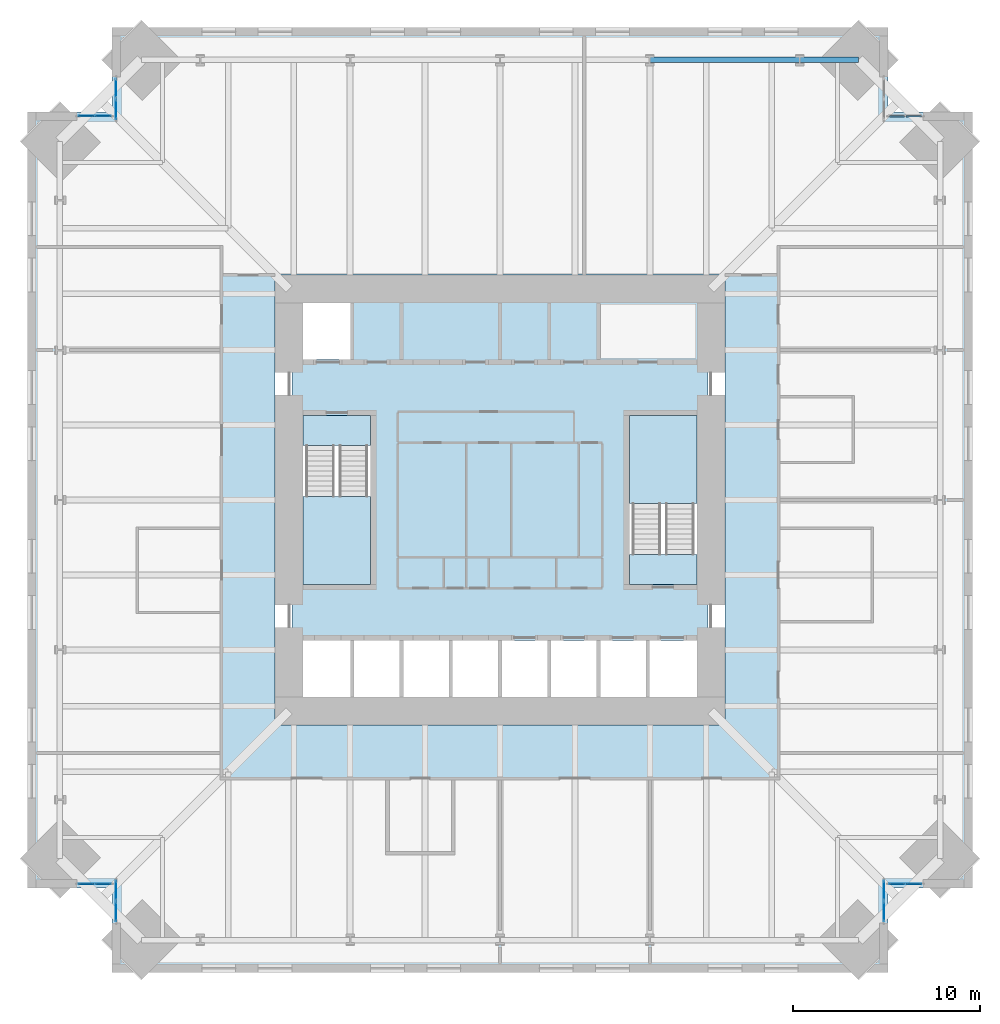
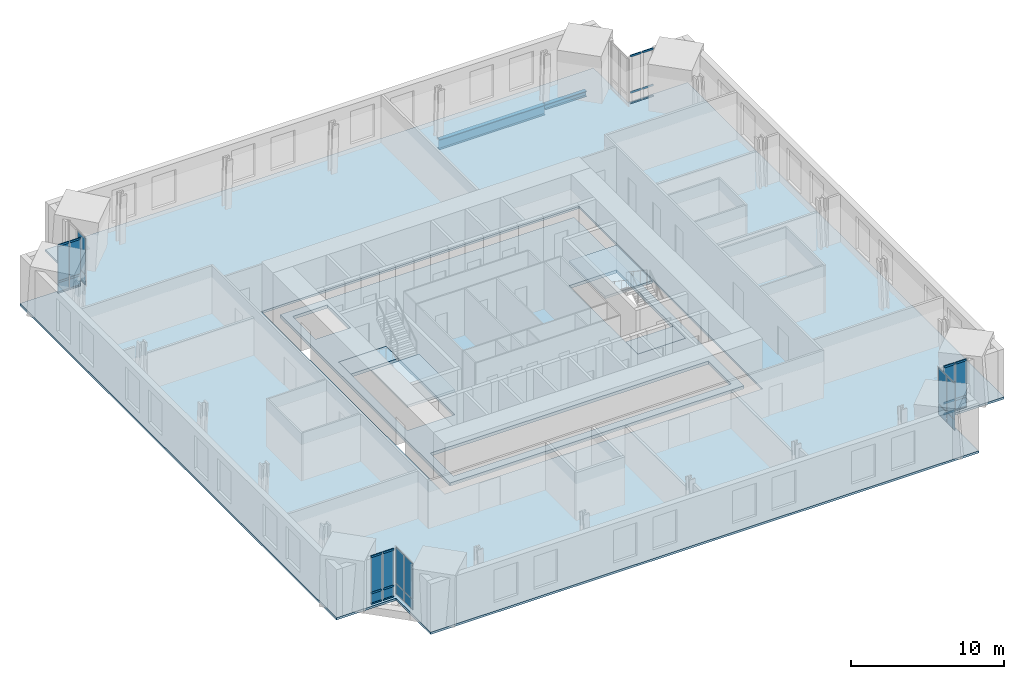
# One storey, part 9 of 15: 24 members, 23 plates, 6 slabs, 2 beams, 9 elements without a shape of their own.
"""IFC4 building model written with IfcOpenShell, lengths in metres."""

from ifc_helpers import new_model, si_unit, direction, frame, origin, origin_2d, place, context, subcontext, project, spatial, polyline, rectangle, hollow_rectangle, i_section, outline, extrude, material, layer, layer_set, material_profile, profile_set, type_object, element, aggregate, save


model = new_model("IFC4")

# Units and contexts
model_context = context("Model", 3, precision=1e-05, world=origin(), true_north=direction((0.0, 1.0)))
body_context = subcontext(model_context, "Body", "Model", "MODEL_VIEW")
ifc_project = project(units=[si_unit("LENGTHUNIT", "METRE"), si_unit("AREAUNIT", "SQUARE_METRE"), si_unit("VOLUMEUNIT", "CUBIC_METRE"), si_unit("PLANEANGLEUNIT", "RADIAN"), si_unit("MASSUNIT", "GRAM", prefix="KILO")], contexts=[model_context])

# Site, building, storey
site_placement = place(None, origin())
site = spatial("IfcSite", under=ifc_project, at=site_placement, CompositionType="ELEMENT")
building_placement = place(site_placement, origin())
building = spatial("IfcBuilding", under=site, at=building_placement, Name="Peilmerk Tower", CompositionType="ELEMENT")
storey_placement = place(building_placement, frame((0.0, 0.0, 183.800048828125)))
storey = spatial("IfcBuildingStorey", under=building, at=storey_placement, Name="L39", CompositionType="ELEMENT", Elevation=183.800048828125)

# Beams
ifc_material_1 = material(Name="Steel S355", Category="steel")
ifc_material_profile_1 = material_profile(ifc_material_1, i_section(OverallWidth=0.302978515625, OverallDepth=0.81396484375, WebThickness=0.02099609375, FlangeThickness=0.0400390625, at=origin_2d()), Name="HEM 800")
ifc_profile_set_1 = profile_set([ifc_material_profile_1], Name="Steel S355")
beam_type_1 = type_object("IfcBeamType", Name="B15 HEM 800 edge beam", PredefinedType="SPANDREL", material=ifc_profile_set_1)
beam_1_placement = place(storey_placement, frame((16.0, 23.485595703125, -0.5771484375), z_axis=(-1.0, 0.0, 0.0), x_axis=(0.0, -1.0, 0.0)))
element("IfcBeam", 1, at=beam_1_placement, inside=storey, type_object=beam_type_1, Name="Edge beam L39", PredefinedType="SPANDREL", context=body_context, shape_type="SweptSolid", body=[
    extrude(i_section(OverallWidth=0.302978515625, OverallDepth=0.81396484375, WebThickness=0.02099609375, FlangeThickness=0.0400390625, at=origin_2d()), origin(), (0.0, 0.0, 1.0), 8.0),
])
ifc_material_profile_2 = material_profile(ifc_material_1, i_section(OverallWidth=0.306884765625, OverallDepth=0.431884765625, WebThickness=0.02099609375, FlangeThickness=0.0400390625, at=origin_2d()), Name="HEM 400")
ifc_profile_set_2 = profile_set([ifc_material_profile_2], Name="Steel S355")
beam_type_2 = type_object("IfcBeamType", Name="B34 HEM 400 edge beam", PredefinedType="SPANDREL", material=ifc_profile_set_2)
beam_2_placement = place(storey_placement, frame((19.135498046875, 23.485595703125, -0.385986328125), z_axis=(-1.0, 0.0, 0.0), x_axis=(0.0, -1.0, 0.0)))
element("IfcBeam", 2, at=beam_2_placement, inside=storey, type_object=beam_type_2, Name="Edge beam L39", PredefinedType="SPANDREL", context=body_context, shape_type="SweptSolid", body=[
    extrude(i_section(OverallWidth=0.306884765625, OverallDepth=0.431884765625, WebThickness=0.02099609375, FlangeThickness=0.0400390625, at=origin_2d()), origin(), (0.0, 0.0, 1.0), 3.135498046875),
])

# Curtain wall, members
ifc_material_2 = material(Name="Aluminium stick curtain wall", Category="aluminium")
curtain_wall_type = type_object("IfcCurtainWallType", Name="CW3 stick curtain wall, 2250 module", PredefinedType="NOTDEFINED", material=ifc_material_2)
curtain_wall_1_placement = place(storey_placement, origin())
curtain_wall_1 = element("IfcCurtainWall", 3, at=curtain_wall_1_placement, inside=storey, type_object=curtain_wall_type, Name="Curtain wall CW3 NEB L39", PredefinedType="NOTDEFINED")
ifc_material_3 = material(Name="Aluminium EN AW-6063 T6", Category="aluminium")
ifc_material_profile_3 = material_profile(ifc_material_3, hollow_rectangle(XDim=0.06494140625, YDim=0.14990234375, WallThickness=0.0029296875, at=origin_2d()), Name="AL 150x65x3")
ifc_profile_set_3 = profile_set([ifc_material_profile_3], Name="Aluminium EN AW-6063 T6")
member_type = type_object("IfcMemberType", Name="CW3-T AL 150x65x3 transom", PredefinedType="USERDEFINED", material=ifc_profile_set_3)
member_1_placement = place(storey_placement, frame((20.764892578125, 20.47509765625, 0.032470703125), z_axis=(1.0, 0.0, 0.0), x_axis=(0.0, 1.0, 0.0)))
member_1 = element("IfcMember", 4, at=member_1_placement, type_object=member_type, Name="CW3 transom 1.1", ObjectType="TRANSOM", PredefinedType="USERDEFINED", context=body_context, shape_type="SweptSolid", body=[
    extrude(hollow_rectangle(XDim=0.06494140625, YDim=0.14990234375, WallThickness=0.0029296875, at=origin_2d()), origin(), (0.0, 0.0, 1.0), 0.822021484375),
])
member_2_placement = place(storey_placement, frame((20.764892578125, 20.47509765625, 0.89990234375), z_axis=(1.0, 0.0, 0.0), x_axis=(0.0, 1.0, 0.0)))
member_2 = element("IfcMember", 5, at=member_2_placement, type_object=member_type, Name="CW3 transom 1.2", ObjectType="TRANSOM", PredefinedType="USERDEFINED", context=body_context, shape_type="SweptSolid", body=[
    extrude(hollow_rectangle(XDim=0.06494140625, YDim=0.14990234375, WallThickness=0.0029296875, at=origin_2d()), origin(), (0.0, 0.0, 1.0), 0.822021484375),
])
member_3_placement = place(storey_placement, frame((20.764892578125, 20.47509765625, 3.79736328125), z_axis=(1.0, 0.0, 0.0), x_axis=(0.0, 1.0, 0.0)))
member_3 = element("IfcMember", 6, at=member_3_placement, type_object=member_type, Name="CW3 transom 1.3", ObjectType="TRANSOM", PredefinedType="USERDEFINED", context=body_context, shape_type="SweptSolid", body=[
    extrude(hollow_rectangle(XDim=0.06494140625, YDim=0.14990234375, WallThickness=0.0029296875, at=origin_2d()), origin(), (0.0, 0.0, 1.0), 0.822021484375),
])
member_4_placement = place(storey_placement, frame((21.65185546875, 20.47509765625, 0.032470703125), z_axis=(1.0, 0.0, 0.0), x_axis=(0.0, 1.0, 0.0)))
member_4 = element("IfcMember", 7, at=member_4_placement, type_object=member_type, Name="CW3 transom 2.1", ObjectType="TRANSOM", PredefinedType="USERDEFINED", context=body_context, shape_type="SweptSolid", body=[
    extrude(hollow_rectangle(XDim=0.06494140625, YDim=0.14990234375, WallThickness=0.0029296875, at=origin_2d()), origin(), (0.0, 0.0, 1.0), 0.82177734375),
])
member_5_placement = place(storey_placement, frame((21.65185546875, 20.47509765625, 0.89990234375), z_axis=(1.0, 0.0, 0.0), x_axis=(0.0, 1.0, 0.0)))
member_5 = element("IfcMember", 8, at=member_5_placement, type_object=member_type, Name="CW3 transom 2.2", ObjectType="TRANSOM", PredefinedType="USERDEFINED", context=body_context, shape_type="SweptSolid", body=[
    extrude(hollow_rectangle(XDim=0.06494140625, YDim=0.14990234375, WallThickness=0.0029296875, at=origin_2d()), origin(), (0.0, 0.0, 1.0), 0.82177734375),
])
member_6_placement = place(storey_placement, frame((21.65185546875, 20.47509765625, 3.79736328125), z_axis=(1.0, 0.0, 0.0), x_axis=(0.0, 1.0, 0.0)))
member_6 = element("IfcMember", 9, at=member_6_placement, type_object=member_type, Name="CW3 transom 2.3", ObjectType="TRANSOM", PredefinedType="USERDEFINED", context=body_context, shape_type="SweptSolid", body=[
    extrude(hollow_rectangle(XDim=0.06494140625, YDim=0.14990234375, WallThickness=0.0029296875, at=origin_2d()), origin(), (0.0, 0.0, 1.0), 0.82177734375),
])
aggregate(curtain_wall_1, [member_1, member_2, member_3, member_4, member_5, member_6])

curtain_wall_2_placement = place(storey_placement, origin())
curtain_wall_2 = element("IfcCurtainWall", 10, at=curtain_wall_2_placement, inside=storey, type_object=curtain_wall_type, Name="Curtain wall CW3 SEB L39", PredefinedType="NOTDEFINED")
member_7_placement = place(storey_placement, frame((20.764892578125, -20.47509765625, 0.032470703125), z_axis=(1.0, 0.0, 0.0), x_axis=(0.0, 1.0, 0.0)))
member_7 = element("IfcMember", 11, at=member_7_placement, type_object=member_type, Name="CW3 transom 1.1", ObjectType="TRANSOM", PredefinedType="USERDEFINED", context=body_context, shape_type="SweptSolid", body=[
    extrude(hollow_rectangle(XDim=0.06494140625, YDim=0.14990234375, WallThickness=0.0029296875, at=origin_2d()), origin(), (0.0, 0.0, 1.0), 0.822021484375),
])
member_8_placement = place(storey_placement, frame((20.764892578125, -20.47509765625, 0.89990234375), z_axis=(1.0, 0.0, 0.0), x_axis=(0.0, 1.0, 0.0)))
member_8 = element("IfcMember", 12, at=member_8_placement, type_object=member_type, Name="CW3 transom 1.2", ObjectType="TRANSOM", PredefinedType="USERDEFINED", context=body_context, shape_type="SweptSolid", body=[
    extrude(hollow_rectangle(XDim=0.06494140625, YDim=0.14990234375, WallThickness=0.0029296875, at=origin_2d()), origin(), (0.0, 0.0, 1.0), 0.822021484375),
])
member_9_placement = place(storey_placement, frame((20.764892578125, -20.47509765625, 3.79736328125), z_axis=(1.0, 0.0, 0.0), x_axis=(0.0, 1.0, 0.0)))
member_9 = element("IfcMember", 13, at=member_9_placement, type_object=member_type, Name="CW3 transom 1.3", ObjectType="TRANSOM", PredefinedType="USERDEFINED", context=body_context, shape_type="SweptSolid", body=[
    extrude(hollow_rectangle(XDim=0.06494140625, YDim=0.14990234375, WallThickness=0.0029296875, at=origin_2d()), origin(), (0.0, 0.0, 1.0), 0.822021484375),
])
member_10_placement = place(storey_placement, frame((21.65185546875, -20.47509765625, 0.032470703125), z_axis=(1.0, 0.0, 0.0), x_axis=(0.0, 1.0, 0.0)))
member_10 = element("IfcMember", 14, at=member_10_placement, type_object=member_type, Name="CW3 transom 2.1", ObjectType="TRANSOM", PredefinedType="USERDEFINED", context=body_context, shape_type="SweptSolid", body=[
    extrude(hollow_rectangle(XDim=0.06494140625, YDim=0.14990234375, WallThickness=0.0029296875, at=origin_2d()), origin(), (0.0, 0.0, 1.0), 0.82177734375),
])
member_11_placement = place(storey_placement, frame((21.65185546875, -20.47509765625, 0.89990234375), z_axis=(1.0, 0.0, 0.0), x_axis=(0.0, 1.0, 0.0)))
member_11 = element("IfcMember", 15, at=member_11_placement, type_object=member_type, Name="CW3 transom 2.2", ObjectType="TRANSOM", PredefinedType="USERDEFINED", context=body_context, shape_type="SweptSolid", body=[
    extrude(hollow_rectangle(XDim=0.06494140625, YDim=0.14990234375, WallThickness=0.0029296875, at=origin_2d()), origin(), (0.0, 0.0, 1.0), 0.82177734375),
])
member_12_placement = place(storey_placement, frame((21.65185546875, -20.47509765625, 3.79736328125), z_axis=(1.0, 0.0, 0.0), x_axis=(0.0, 1.0, 0.0)))
member_12 = element("IfcMember", 16, at=member_12_placement, type_object=member_type, Name="CW3 transom 2.3", ObjectType="TRANSOM", PredefinedType="USERDEFINED", context=body_context, shape_type="SweptSolid", body=[
    extrude(hollow_rectangle(XDim=0.06494140625, YDim=0.14990234375, WallThickness=0.0029296875, at=origin_2d()), origin(), (0.0, 0.0, 1.0), 0.82177734375),
])

curtain_wall_3_placement = place(storey_placement, origin())
curtain_wall_3 = element("IfcCurtainWall", 17, at=curtain_wall_3_placement, inside=storey, type_object=curtain_wall_type, Name="Curtain wall CW3 SWB L39", PredefinedType="NOTDEFINED")
member_13_placement = place(storey_placement, frame((-20.764892578125, -20.47509765625, 0.032470703125), z_axis=(-1.0, 0.0, 0.0), x_axis=(0.0, -1.0, 0.0)))
member_13 = element("IfcMember", 18, at=member_13_placement, type_object=member_type, Name="CW3 transom 1.1", ObjectType="TRANSOM", PredefinedType="USERDEFINED", context=body_context, shape_type="SweptSolid", body=[
    extrude(hollow_rectangle(XDim=0.06494140625, YDim=0.14990234375, WallThickness=0.0029296875, at=origin_2d()), origin(), (0.0, 0.0, 1.0), 0.822021484375),
])
member_14_placement = place(storey_placement, frame((-20.764892578125, -20.47509765625, 0.89990234375), z_axis=(-1.0, 0.0, 0.0), x_axis=(0.0, -1.0, 0.0)))
member_14 = element("IfcMember", 19, at=member_14_placement, type_object=member_type, Name="CW3 transom 1.2", ObjectType="TRANSOM", PredefinedType="USERDEFINED", context=body_context, shape_type="SweptSolid", body=[
    extrude(hollow_rectangle(XDim=0.06494140625, YDim=0.14990234375, WallThickness=0.0029296875, at=origin_2d()), origin(), (0.0, 0.0, 1.0), 0.822021484375),
])
member_15_placement = place(storey_placement, frame((-20.764892578125, -20.47509765625, 3.79736328125), z_axis=(-1.0, 0.0, 0.0), x_axis=(0.0, -1.0, 0.0)))
member_15 = element("IfcMember", 20, at=member_15_placement, type_object=member_type, Name="CW3 transom 1.3", ObjectType="TRANSOM", PredefinedType="USERDEFINED", context=body_context, shape_type="SweptSolid", body=[
    extrude(hollow_rectangle(XDim=0.06494140625, YDim=0.14990234375, WallThickness=0.0029296875, at=origin_2d()), origin(), (0.0, 0.0, 1.0), 0.822021484375),
])
member_16_placement = place(storey_placement, frame((-21.65185546875, -20.47509765625, 0.032470703125), z_axis=(-1.0, 0.0, 0.0), x_axis=(0.0, -1.0, 0.0)))
member_16 = element("IfcMember", 21, at=member_16_placement, type_object=member_type, Name="CW3 transom 2.1", ObjectType="TRANSOM", PredefinedType="USERDEFINED", context=body_context, shape_type="SweptSolid", body=[
    extrude(hollow_rectangle(XDim=0.06494140625, YDim=0.14990234375, WallThickness=0.0029296875, at=origin_2d()), origin(), (0.0, 0.0, 1.0), 0.82177734375),
])
member_17_placement = place(storey_placement, frame((-21.65185546875, -20.47509765625, 0.89990234375), z_axis=(-1.0, 0.0, 0.0), x_axis=(0.0, -1.0, 0.0)))
member_17 = element("IfcMember", 22, at=member_17_placement, type_object=member_type, Name="CW3 transom 2.2", ObjectType="TRANSOM", PredefinedType="USERDEFINED", context=body_context, shape_type="SweptSolid", body=[
    extrude(hollow_rectangle(XDim=0.06494140625, YDim=0.14990234375, WallThickness=0.0029296875, at=origin_2d()), origin(), (0.0, 0.0, 1.0), 0.82177734375),
])
member_18_placement = place(storey_placement, frame((-21.65185546875, -20.47509765625, 3.79736328125), z_axis=(-1.0, 0.0, 0.0), x_axis=(0.0, -1.0, 0.0)))
member_18 = element("IfcMember", 23, at=member_18_placement, type_object=member_type, Name="CW3 transom 2.3", ObjectType="TRANSOM", PredefinedType="USERDEFINED", context=body_context, shape_type="SweptSolid", body=[
    extrude(hollow_rectangle(XDim=0.06494140625, YDim=0.14990234375, WallThickness=0.0029296875, at=origin_2d()), origin(), (0.0, 0.0, 1.0), 0.82177734375),
])

curtain_wall_4_placement = place(storey_placement, origin())
curtain_wall_4 = element("IfcCurtainWall", 24, at=curtain_wall_4_placement, inside=storey, type_object=curtain_wall_type, Name="Curtain wall CW3 NWB L39", PredefinedType="NOTDEFINED")
member_19_placement = place(storey_placement, frame((-20.764892578125, 20.47509765625, 0.032470703125), z_axis=(-1.0, 0.0, 0.0), x_axis=(0.0, -1.0, 0.0)))
member_19 = element("IfcMember", 25, at=member_19_placement, type_object=member_type, Name="CW3 transom 1.1", ObjectType="TRANSOM", PredefinedType="USERDEFINED", context=body_context, shape_type="SweptSolid", body=[
    extrude(hollow_rectangle(XDim=0.06494140625, YDim=0.14990234375, WallThickness=0.0029296875, at=origin_2d()), origin(), (0.0, 0.0, 1.0), 0.822021484375),
])
member_20_placement = place(storey_placement, frame((-20.764892578125, 20.47509765625, 0.89990234375), z_axis=(-1.0, 0.0, 0.0), x_axis=(0.0, -1.0, 0.0)))
member_20 = element("IfcMember", 26, at=member_20_placement, type_object=member_type, Name="CW3 transom 1.2", ObjectType="TRANSOM", PredefinedType="USERDEFINED", context=body_context, shape_type="SweptSolid", body=[
    extrude(hollow_rectangle(XDim=0.06494140625, YDim=0.14990234375, WallThickness=0.0029296875, at=origin_2d()), origin(), (0.0, 0.0, 1.0), 0.822021484375),
])
member_21_placement = place(storey_placement, frame((-20.764892578125, 20.47509765625, 3.79736328125), z_axis=(-1.0, 0.0, 0.0), x_axis=(0.0, -1.0, 0.0)))
member_21 = element("IfcMember", 27, at=member_21_placement, type_object=member_type, Name="CW3 transom 1.3", ObjectType="TRANSOM", PredefinedType="USERDEFINED", context=body_context, shape_type="SweptSolid", body=[
    extrude(hollow_rectangle(XDim=0.06494140625, YDim=0.14990234375, WallThickness=0.0029296875, at=origin_2d()), origin(), (0.0, 0.0, 1.0), 0.822021484375),
])
member_22_placement = place(storey_placement, frame((-21.65185546875, 20.47509765625, 0.032470703125), z_axis=(-1.0, 0.0, 0.0), x_axis=(0.0, -1.0, 0.0)))
member_22 = element("IfcMember", 28, at=member_22_placement, type_object=member_type, Name="CW3 transom 2.1", ObjectType="TRANSOM", PredefinedType="USERDEFINED", context=body_context, shape_type="SweptSolid", body=[
    extrude(hollow_rectangle(XDim=0.06494140625, YDim=0.14990234375, WallThickness=0.0029296875, at=origin_2d()), origin(), (0.0, 0.0, 1.0), 0.82177734375),
])
member_23_placement = place(storey_placement, frame((-21.65185546875, 20.47509765625, 0.89990234375), z_axis=(-1.0, 0.0, 0.0), x_axis=(0.0, -1.0, 0.0)))
member_23 = element("IfcMember", 29, at=member_23_placement, type_object=member_type, Name="CW3 transom 2.2", ObjectType="TRANSOM", PredefinedType="USERDEFINED", context=body_context, shape_type="SweptSolid", body=[
    extrude(hollow_rectangle(XDim=0.06494140625, YDim=0.14990234375, WallThickness=0.0029296875, at=origin_2d()), origin(), (0.0, 0.0, 1.0), 0.82177734375),
])
member_24_placement = place(storey_placement, frame((-21.65185546875, 20.47509765625, 3.79736328125), z_axis=(-1.0, 0.0, 0.0), x_axis=(0.0, -1.0, 0.0)))
member_24 = element("IfcMember", 30, at=member_24_placement, type_object=member_type, Name="CW3 transom 2.3", ObjectType="TRANSOM", PredefinedType="USERDEFINED", context=body_context, shape_type="SweptSolid", body=[
    extrude(hollow_rectangle(XDim=0.06494140625, YDim=0.14990234375, WallThickness=0.0029296875, at=origin_2d()), origin(), (0.0, 0.0, 1.0), 0.82177734375),
])

# Slab
ifc_material_4 = material(Name="Concrete C55/67", Category="concrete")
ifc_layer_1 = layer(ifc_material_4, 0.25)
ifc_layer_set_1 = layer_set([ifc_layer_1], Name="Concrete C55/67")
slab_type_1 = type_object("IfcSlabType", Name="CS250 250 core floor slab", PredefinedType="FLOOR", material=ifc_layer_set_1)
slab_1_placement = place(storey_placement, frame((0.0, 0.0, -0.25)))
element("IfcSlab", 31, at=slab_1_placement, inside=storey, type_object=slab_type_1, Name="Core slab L39", PredefinedType="FLOOR", context=body_context, shape_type="SweptSolid", body=[
    extrude(outline(polyline([(11.10009765625, 11.10009765625), (-11.10009765625, 11.10009765625), (-11.10009765625, -11.10009765625), (11.10009765625, -11.10009765625), (11.10009765625, 11.10009765625)]), holes=[polyline([(-10.5, 7.5), (-10.5, 10.5), (-7.875, 10.5), (-7.875, 7.5), (-10.5, 7.5)]), polyline([(-10.5, -10.5), (-10.5, -7.5), (10.5, -7.5), (10.5, -10.5), (-10.5, -10.5)]), polyline([(-10.5, 4.5), (-6.89990234375, 4.5), (-6.89990234375, -4.5), (-10.5, -4.5), (-10.5, 4.5)]), polyline([(10.5, 4.5), (10.5, -4.5), (6.89990234375, -4.5), (6.89990234375, 4.5), (10.5, 4.5)])]), origin(), (0.0, 0.0, 1.0), 0.25),
])

# Curtain wall, plates
curtain_wall_5_placement = place(storey_placement, origin())
curtain_wall_5 = element("IfcCurtainWall", 32, at=curtain_wall_5_placement, inside=storey, type_object=curtain_wall_type, Name="Curtain wall CW3 SEA L39", PredefinedType="NOTDEFINED")
ifc_material_5 = material(Name="Clear insulated glazing unit", Category="glass")
ifc_layer_2 = layer(ifc_material_5, 0.028076171875)
ifc_layer_set_2 = layer_set([ifc_layer_2], Name="Clear insulated glazing unit")
plate_type = type_object("IfcPlateType", Name="CW3-P 28 glazed panel", PredefinedType="CURTAIN_PANEL", material=ifc_layer_set_2)
plate_1_placement = place(storey_placement, frame((20.47509765625, -20.83837890625, 0.06494140625), z_axis=(0.0, 0.0, 1.0), x_axis=(0.0, -1.0, 0.0)))
plate_1 = element("IfcPlate", 33, at=plate_1_placement, type_object=plate_type, Name="CW3 panel 1.1", PredefinedType="CURTAIN_PANEL", context=body_context, shape_type="SweptSolid", body=[
    extrude(rectangle(XDim=1.046875, YDim=0.028076171875, at=origin_2d()), origin(), (0.0, 0.0, 1.0), 0.802490234375),
])
plate_2_placement = place(storey_placement, frame((20.47509765625, -20.83837890625, 0.932373046875), z_axis=(0.0, 0.0, 1.0), x_axis=(0.0, -1.0, 0.0)))
plate_2 = element("IfcPlate", 34, at=plate_2_placement, type_object=plate_type, Name="CW3 panel 1.2", PredefinedType="CURTAIN_PANEL", context=body_context, shape_type="SweptSolid", body=[
    extrude(rectangle(XDim=1.046875, YDim=0.028076171875, at=origin_2d()), origin(), (0.0, 0.0, 1.0), 2.83251953125),
])
plate_3_placement = place(storey_placement, frame((20.47509765625, -21.9501953125, 0.06494140625), z_axis=(0.0, 0.0, 1.0), x_axis=(0.0, -1.0, 0.0)))
plate_3 = element("IfcPlate", 35, at=plate_3_placement, type_object=plate_type, Name="CW3 panel 2.1", PredefinedType="CURTAIN_PANEL", context=body_context, shape_type="SweptSolid", body=[
    extrude(rectangle(XDim=1.046875, YDim=0.028076171875, at=origin_2d()), origin(), (0.0, 0.0, 1.0), 0.802490234375),
])
plate_4_placement = place(storey_placement, frame((20.47509765625, -21.9501953125, 0.932373046875), z_axis=(0.0, 0.0, 1.0), x_axis=(0.0, -1.0, 0.0)))
plate_4 = element("IfcPlate", 36, at=plate_4_placement, type_object=plate_type, Name="CW3 panel 2.2", PredefinedType="CURTAIN_PANEL", context=body_context, shape_type="SweptSolid", body=[
    extrude(rectangle(XDim=1.046875, YDim=0.028076171875, at=origin_2d()), origin(), (0.0, 0.0, 1.0), 2.83251953125),
])
aggregate(curtain_wall_5, [plate_1, plate_2, plate_3, plate_4])

# Plate
plate_5_placement = place(storey_placement, frame((21.176025390625, -20.47509765625, 0.06494140625), z_axis=(0.0, 0.0, 1.0), x_axis=(1.0, 0.0, 0.0)))
plate_5 = element("IfcPlate", 37, at=plate_5_placement, type_object=plate_type, Name="CW3 panel 1.1", PredefinedType="CURTAIN_PANEL", context=body_context, shape_type="SweptSolid", body=[
    extrude(rectangle(XDim=0.82177734375, YDim=0.028076171875, at=origin_2d()), origin(), (0.0, 0.0, 1.0), 0.802490234375),
])

plate_6_placement = place(storey_placement, frame((21.176025390625, -20.47509765625, 0.932373046875), z_axis=(0.0, 0.0, 1.0), x_axis=(1.0, 0.0, 0.0)))
plate_6 = element("IfcPlate", 38, at=plate_6_placement, type_object=plate_type, Name="CW3 panel 1.2", PredefinedType="CURTAIN_PANEL", context=body_context, shape_type="SweptSolid", body=[
    extrude(rectangle(XDim=0.82177734375, YDim=0.028076171875, at=origin_2d()), origin(), (0.0, 0.0, 1.0), 2.83251953125),
])

plate_7_placement = place(storey_placement, frame((22.062744140625, -20.47509765625, 0.06494140625), z_axis=(0.0, 0.0, 1.0), x_axis=(1.0, 0.0, 0.0)))
plate_7 = element("IfcPlate", 39, at=plate_7_placement, type_object=plate_type, Name="CW3 panel 2.1", PredefinedType="CURTAIN_PANEL", context=body_context, shape_type="SweptSolid", body=[
    extrude(rectangle(XDim=0.82177734375, YDim=0.028076171875, at=origin_2d()), origin(), (0.0, 0.0, 1.0), 0.802490234375),
])

plate_8_placement = place(storey_placement, frame((22.062744140625, -20.47509765625, 0.932373046875), z_axis=(0.0, 0.0, 1.0), x_axis=(1.0, 0.0, 0.0)))
plate_8 = element("IfcPlate", 40, at=plate_8_placement, type_object=plate_type, Name="CW3 panel 2.2", PredefinedType="CURTAIN_PANEL", context=body_context, shape_type="SweptSolid", body=[
    extrude(rectangle(XDim=0.82177734375, YDim=0.028076171875, at=origin_2d()), origin(), (0.0, 0.0, 1.0), 2.83251953125),
])

aggregate(curtain_wall_2, [member_7, member_8, member_9, plate_5, plate_6, member_10, member_11, member_12, plate_7, plate_8])

# Curtain wall, plates
curtain_wall_6_placement = place(storey_placement, origin())
curtain_wall_6 = element("IfcCurtainWall", 41, at=curtain_wall_6_placement, inside=storey, type_object=curtain_wall_type, Name="Curtain wall CW3 SWA L39", PredefinedType="NOTDEFINED")
plate_9_placement = place(storey_placement, frame((-20.47509765625, -20.83837890625, 0.06494140625), z_axis=(0.0, 0.0, 1.0), x_axis=(0.0, -1.0, 0.0)))
plate_9 = element("IfcPlate", 42, at=plate_9_placement, type_object=plate_type, Name="CW3 panel 1.1", PredefinedType="CURTAIN_PANEL", context=body_context, shape_type="SweptSolid", body=[
    extrude(rectangle(XDim=1.046875, YDim=0.028076171875, at=origin_2d()), origin(), (0.0, 0.0, 1.0), 0.802490234375),
])
plate_10_placement = place(storey_placement, frame((-20.47509765625, -20.83837890625, 0.932373046875), z_axis=(0.0, 0.0, 1.0), x_axis=(0.0, -1.0, 0.0)))
plate_10 = element("IfcPlate", 43, at=plate_10_placement, type_object=plate_type, Name="CW3 panel 1.2", PredefinedType="CURTAIN_PANEL", context=body_context, shape_type="SweptSolid", body=[
    extrude(rectangle(XDim=1.046875, YDim=0.028076171875, at=origin_2d()), origin(), (0.0, 0.0, 1.0), 2.83251953125),
])
plate_11_placement = place(storey_placement, frame((-20.47509765625, -21.9501953125, 0.06494140625), z_axis=(0.0, 0.0, 1.0), x_axis=(0.0, -1.0, 0.0)))
plate_11 = element("IfcPlate", 44, at=plate_11_placement, type_object=plate_type, Name="CW3 panel 2.1", PredefinedType="CURTAIN_PANEL", context=body_context, shape_type="SweptSolid", body=[
    extrude(rectangle(XDim=1.046875, YDim=0.028076171875, at=origin_2d()), origin(), (0.0, 0.0, 1.0), 0.802490234375),
])
plate_12_placement = place(storey_placement, frame((-20.47509765625, -21.9501953125, 0.932373046875), z_axis=(0.0, 0.0, 1.0), x_axis=(0.0, -1.0, 0.0)))
plate_12 = element("IfcPlate", 45, at=plate_12_placement, type_object=plate_type, Name="CW3 panel 2.2", PredefinedType="CURTAIN_PANEL", context=body_context, shape_type="SweptSolid", body=[
    extrude(rectangle(XDim=1.046875, YDim=0.028076171875, at=origin_2d()), origin(), (0.0, 0.0, 1.0), 2.83251953125),
])
aggregate(curtain_wall_6, [plate_9, plate_10, plate_11, plate_12])

# Plate
plate_13_placement = place(storey_placement, frame((-21.176025390625, -20.47509765625, 0.06494140625), z_axis=(0.0, 0.0, 1.0), x_axis=(-1.0, 0.0, 0.0)))
plate_13 = element("IfcPlate", 46, at=plate_13_placement, type_object=plate_type, Name="CW3 panel 1.1", PredefinedType="CURTAIN_PANEL", context=body_context, shape_type="SweptSolid", body=[
    extrude(rectangle(XDim=0.82177734375, YDim=0.028076171875, at=origin_2d()), origin(), (0.0, 0.0, 1.0), 0.802490234375),
])

plate_14_placement = place(storey_placement, frame((-21.176025390625, -20.47509765625, 0.932373046875), z_axis=(0.0, 0.0, 1.0), x_axis=(-1.0, 0.0, 0.0)))
plate_14 = element("IfcPlate", 47, at=plate_14_placement, type_object=plate_type, Name="CW3 panel 1.2", PredefinedType="CURTAIN_PANEL", context=body_context, shape_type="SweptSolid", body=[
    extrude(rectangle(XDim=0.82177734375, YDim=0.028076171875, at=origin_2d()), origin(), (0.0, 0.0, 1.0), 2.83251953125),
])

plate_15_placement = place(storey_placement, frame((-22.062744140625, -20.47509765625, 0.06494140625), z_axis=(0.0, 0.0, 1.0), x_axis=(-1.0, 0.0, 0.0)))
plate_15 = element("IfcPlate", 48, at=plate_15_placement, type_object=plate_type, Name="CW3 panel 2.1", PredefinedType="CURTAIN_PANEL", context=body_context, shape_type="SweptSolid", body=[
    extrude(rectangle(XDim=0.82177734375, YDim=0.028076171875, at=origin_2d()), origin(), (0.0, 0.0, 1.0), 0.802490234375),
])

plate_16_placement = place(storey_placement, frame((-22.062744140625, -20.47509765625, 0.932373046875), z_axis=(0.0, 0.0, 1.0), x_axis=(-1.0, 0.0, 0.0)))
plate_16 = element("IfcPlate", 49, at=plate_16_placement, type_object=plate_type, Name="CW3 panel 2.2", PredefinedType="CURTAIN_PANEL", context=body_context, shape_type="SweptSolid", body=[
    extrude(rectangle(XDim=0.82177734375, YDim=0.028076171875, at=origin_2d()), origin(), (0.0, 0.0, 1.0), 2.83251953125),
])

aggregate(curtain_wall_3, [member_13, member_14, member_15, plate_13, plate_14, member_16, member_17, member_18, plate_15, plate_16])

# Curtain wall, plates
curtain_wall_7_placement = place(storey_placement, origin())
curtain_wall_7 = element("IfcCurtainWall", 50, at=curtain_wall_7_placement, inside=storey, type_object=curtain_wall_type, Name="Curtain wall CW3 NWA L39", PredefinedType="NOTDEFINED")
plate_17_placement = place(storey_placement, frame((-20.47509765625, 20.83837890625, 0.06494140625), z_axis=(0.0, 0.0, 1.0), x_axis=(0.0, 1.0, 0.0)))
plate_17 = element("IfcPlate", 51, at=plate_17_placement, type_object=plate_type, Name="CW3 panel 1.1", PredefinedType="CURTAIN_PANEL", context=body_context, shape_type="SweptSolid", body=[
    extrude(rectangle(XDim=1.046875, YDim=0.028076171875, at=origin_2d()), origin(), (0.0, 0.0, 1.0), 0.802490234375),
])
plate_18_placement = place(storey_placement, frame((-20.47509765625, 20.83837890625, 0.932373046875), z_axis=(0.0, 0.0, 1.0), x_axis=(0.0, 1.0, 0.0)))
plate_18 = element("IfcPlate", 52, at=plate_18_placement, type_object=plate_type, Name="CW3 panel 1.2", PredefinedType="CURTAIN_PANEL", context=body_context, shape_type="SweptSolid", body=[
    extrude(rectangle(XDim=1.046875, YDim=0.028076171875, at=origin_2d()), origin(), (0.0, 0.0, 1.0), 2.83251953125),
])
plate_19_placement = place(storey_placement, frame((-20.47509765625, 21.9501953125, 0.06494140625), z_axis=(0.0, 0.0, 1.0), x_axis=(0.0, 1.0, 0.0)))
plate_19 = element("IfcPlate", 53, at=plate_19_placement, type_object=plate_type, Name="CW3 panel 2.1", PredefinedType="CURTAIN_PANEL", context=body_context, shape_type="SweptSolid", body=[
    extrude(rectangle(XDim=1.046875, YDim=0.028076171875, at=origin_2d()), origin(), (0.0, 0.0, 1.0), 0.802490234375),
])
aggregate(curtain_wall_7, [plate_17, plate_18, plate_19])

# Plate
plate_20_placement = place(storey_placement, frame((-21.176025390625, 20.47509765625, 0.06494140625), z_axis=(0.0, 0.0, 1.0), x_axis=(-1.0, 0.0, 0.0)))
plate_20 = element("IfcPlate", 54, at=plate_20_placement, type_object=plate_type, Name="CW3 panel 1.1", PredefinedType="CURTAIN_PANEL", context=body_context, shape_type="SweptSolid", body=[
    extrude(rectangle(XDim=0.82177734375, YDim=0.028076171875, at=origin_2d()), origin(), (0.0, 0.0, 1.0), 0.802490234375),
])

plate_21_placement = place(storey_placement, frame((-21.176025390625, 20.47509765625, 0.932373046875), z_axis=(0.0, 0.0, 1.0), x_axis=(-1.0, 0.0, 0.0)))
plate_21 = element("IfcPlate", 55, at=plate_21_placement, type_object=plate_type, Name="CW3 panel 1.2", PredefinedType="CURTAIN_PANEL", context=body_context, shape_type="SweptSolid", body=[
    extrude(rectangle(XDim=0.82177734375, YDim=0.028076171875, at=origin_2d()), origin(), (0.0, 0.0, 1.0), 2.83251953125),
])

plate_22_placement = place(storey_placement, frame((-22.062744140625, 20.47509765625, 0.06494140625), z_axis=(0.0, 0.0, 1.0), x_axis=(-1.0, 0.0, 0.0)))
plate_22 = element("IfcPlate", 56, at=plate_22_placement, type_object=plate_type, Name="CW3 panel 2.1", PredefinedType="CURTAIN_PANEL", context=body_context, shape_type="SweptSolid", body=[
    extrude(rectangle(XDim=0.82177734375, YDim=0.028076171875, at=origin_2d()), origin(), (0.0, 0.0, 1.0), 0.802490234375),
])

plate_23_placement = place(storey_placement, frame((-22.062744140625, 20.47509765625, 0.932373046875), z_axis=(0.0, 0.0, 1.0), x_axis=(-1.0, 0.0, 0.0)))
plate_23 = element("IfcPlate", 57, at=plate_23_placement, type_object=plate_type, Name="CW3 panel 2.2", PredefinedType="CURTAIN_PANEL", context=body_context, shape_type="SweptSolid", body=[
    extrude(rectangle(XDim=0.82177734375, YDim=0.028076171875, at=origin_2d()), origin(), (0.0, 0.0, 1.0), 2.83251953125),
])

aggregate(curtain_wall_4, [member_19, member_20, member_21, plate_20, plate_21, member_22, member_23, member_24, plate_22, plate_23])

# Slab
ifc_material_6 = material(Name="Concrete C35/45", Category="concrete")
ifc_layer_3 = layer(ifc_material_6, 0.169921875)
ifc_layer_set_3 = layer_set([ifc_layer_3], Name="Concrete C35/45")
slab_type_2 = type_object("IfcSlabType", Name="FS170 170 composite floor slab", PredefinedType="FLOOR", material=ifc_layer_set_3)
slab_2_placement = place(storey_placement, frame((0.0, 0.0, -0.170166015625)))
element("IfcSlab", 58, at=slab_2_placement, inside=storey, type_object=slab_type_2, Name="Floor slab L39", PredefinedType="FLOOR", context=body_context, shape_type="SweptSolid", body=[
    extrude(outline(polyline([(-20.699951171875, -25.199951171875), (20.699951171875, -25.199951171875), (20.699951171875, -20.699951171875), (25.199951171875, -20.699951171875), (25.199951171875, 20.699951171875), (20.699951171875, 20.699951171875), (20.699951171875, 25.199951171875), (-20.699951171875, 25.199951171875), (-20.699951171875, 20.699951171875), (-25.199951171875, 20.699951171875), (-25.199951171875, -20.699951171875), (-20.699951171875, -20.699951171875), (-20.699951171875, -25.199951171875)]), holes=[polyline([(12.0, 12.0), (12.0, -12.0), (-12.0, -12.0), (-12.0, 12.0), (12.0, 12.0)])]), origin(), (0.0, 0.0, 1.0), 0.170166015625),
])

# Stair, slab
ifc_material_7 = material(Name="Precast concrete C45/55", Category="concrete")
stair_type_1 = type_object("IfcStairType", Name="ST1 22 risers of 181.8", PredefinedType="HALF_TURN_STAIR", material=ifc_material_7)
stair_1_placement = place(storey_placement, origin())
stair_1 = element("IfcStair", 59, at=stair_1_placement, inside=storey, type_object=stair_type_1, Name="Stair 1 L39 to L40", PredefinedType="HALF_TURN_STAIR")
ifc_layer_4 = layer(ifc_material_6, 0.199951171875)
ifc_layer_set_4 = layer_set([ifc_layer_4], Name="Concrete C35/45")
slab_type_3 = type_object("IfcSlabType", Name="SL1 200 concrete stair landing", PredefinedType="LANDING", material=ifc_layer_set_4)
slab_3_placement = place(storey_placement, frame((0.0, 0.0, 1.800048828125)))
slab_3 = element("IfcSlab", 60, at=slab_3_placement, type_object=slab_type_3, Name="ST1 landing 1", PredefinedType="LANDING", context=body_context, shape_type="SweptSolid", body=[
    extrude(outline(polyline([(-10.5, -4.5), (-6.89990234375, -4.5), (-6.89990234375, 0.199951171875), (-10.5, 0.199951171875), (-10.5, -4.5)])), origin(), (0.0, 0.0, 1.0), 0.199951171875),
])

stair_type_2 = type_object("IfcStairType", Name="ST2 22 risers of 181.8", PredefinedType="HALF_TURN_STAIR", material=ifc_material_7)
stair_2_placement = place(storey_placement, origin())
stair_2 = element("IfcStair", 61, at=stair_2_placement, inside=storey, type_object=stair_type_2, Name="Stair 2 L39 to L40", PredefinedType="HALF_TURN_STAIR")
slab_4_placement = place(storey_placement, frame((0.0, 0.0, 1.800048828125)))
slab_4 = element("IfcSlab", 62, at=slab_4_placement, type_object=slab_type_3, Name="ST2 landing 1", PredefinedType="LANDING", context=body_context, shape_type="SweptSolid", body=[
    extrude(outline(polyline([(6.89990234375, -0.199951171875), (10.5, -0.199951171875), (10.5, 4.5), (6.89990234375, 4.5), (6.89990234375, -0.199951171875)])), origin(), (0.0, 0.0, 1.0), 0.199951171875),
])

# Slab
ifc_layer_5 = layer(ifc_material_6, 0.25)
ifc_layer_set_5 = layer_set([ifc_layer_5], Name="Concrete C35/45")
slab_type_4 = type_object("IfcSlabType", Name="SL2 250 concrete floor landing", PredefinedType="LANDING", material=ifc_layer_set_5)
slab_5_placement = place(storey_placement, frame((0.0, 0.0, -0.25)))
slab_5 = element("IfcSlab", 63, at=slab_5_placement, type_object=slab_type_4, Name="ST1 floor landing", PredefinedType="LANDING", context=body_context, shape_type="SweptSolid", body=[
    extrude(outline(polyline([(-10.5, 2.89990234375), (-6.89990234375, 2.89990234375), (-6.89990234375, 4.5), (-10.5, 4.5), (-10.5, 2.89990234375)])), origin(), (0.0, 0.0, 1.0), 0.25),
])

aggregate(stair_1, [slab_3, slab_5])

slab_6_placement = place(storey_placement, frame((0.0, 0.0, -0.25)))
slab_6 = element("IfcSlab", 64, at=slab_6_placement, type_object=slab_type_4, Name="ST2 floor landing", PredefinedType="LANDING", context=body_context, shape_type="SweptSolid", body=[
    extrude(outline(polyline([(6.89990234375, -4.5), (10.5, -4.5), (10.5, -2.89990234375), (6.89990234375, -2.89990234375), (6.89990234375, -4.5)])), origin(), (0.0, 0.0, 1.0), 0.25),
])

aggregate(stair_2, [slab_4, slab_6])

save(model, "model.ifc")
